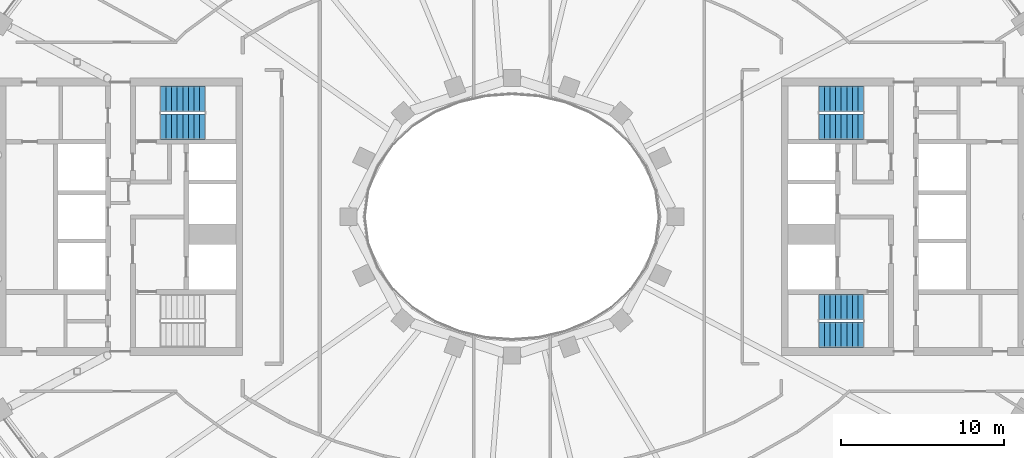
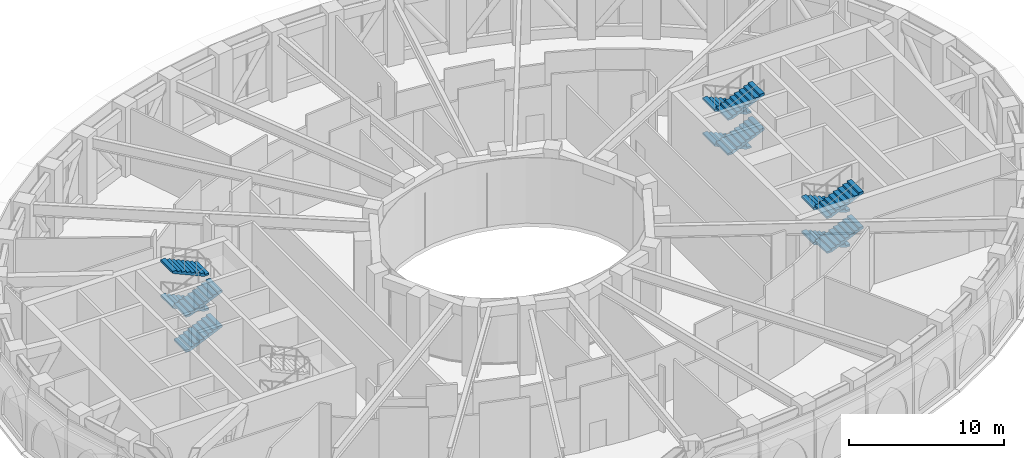
# One storey, part 10 of 25: 12 stair flights, 3 elements without a shape of their own.
"""IFC4 building model written with IfcOpenShell, lengths in metres."""

import ifcopenshell
import ifcopenshell.guid

model = None  # the IFC model being written
_history = None  # IfcOwnerHistory: only IFC2X3 demands one
_inside = {}  # id of a spatial element -> (the spatial element, [elements in it])
_under = {}  # id of a project, library or spatial element -> (it, [spatial elements below it])
_declared = {}  # id of a project -> (the project, [libraries it declares])
_typed = {}  # id of a type object -> (the type object, [elements of that type])
_made_of = {}  # id of a material, layer set ... -> (it, [elements and type objects made of it])


def new_model(schema):
    """Start an empty IFC model of exactly this schema.

    Asked for "IFC4X3", IfcOpenShell would pick the latest addendum, in which some entities
    have other attributes; the version numbers below select the first issue.
    IFC2X3 requires an IfcOwnerHistory on every rooted entity: one is made here for all.
    """
    global model, _history
    if schema == "IFC4X3":
        model = ifcopenshell.file(schema_version=(4, 3, 0, 0))
    else:
        model = ifcopenshell.file(schema=schema)
    _inside.clear()
    _under.clear()
    _declared.clear()
    _typed.clear()
    _made_of.clear()
    _history = None
    if model.schema == "IFC2X3":
        org = make("IfcOrganization", Name="unknown")
        user = make(
            "IfcPersonAndOrganization",
            ThePerson=make("IfcPerson", FamilyName="unknown"),
            TheOrganization=org,
        )
        app = make(
            "IfcApplication",
            ApplicationDeveloper=org,
            Version="unknown",
            ApplicationFullName="unknown",
            ApplicationIdentifier="unknown",
        )
        _history = make(
            "IfcOwnerHistory",
            OwningUser=user,
            OwningApplication=app,
            ChangeAction="ADDED",
            CreationDate=0,
        )
    return model


def make(cls, **values):
    """One entity of the class cls with the attributes given. An attribute that is None is left unset."""
    return model.create_entity(
        cls, **{name: value for name, value in values.items() if value is not None}
    )


def rooted(cls, **values):
    """An entity with a GlobalId (a new one), such as an element, a storey or a relation."""
    return make(cls, GlobalId=ifcopenshell.guid.new(), OwnerHistory=_history, **values)


def si_unit(unit_type, name, prefix=None):
    """IfcSIUnit, for example si_unit("LENGTHUNIT", "METRE", prefix="MILLI")."""
    return make("IfcSIUnit", UnitType=unit_type, Prefix=prefix, Name=name)


def assignment(units):
    """IfcUnitAssignment: the units of a project."""
    return None if units is None else make("IfcUnitAssignment", Units=units)


def point(xyz):
    """IfcCartesianPoint."""
    return None if xyz is None else make("IfcCartesianPoint", Coordinates=xyz)


def direction(xyz):
    """IfcDirection."""
    return None if xyz is None else make("IfcDirection", DirectionRatios=xyz)


def frame(location, z_axis=None, x_axis=None):
    """IfcAxis2Placement3D, a coordinate frame: its origin and axes. An axis left out is left unset."""
    return make(
        "IfcAxis2Placement3D",
        Location=point(location),
        Axis=direction(z_axis),
        RefDirection=direction(x_axis),
    )


def origin():
    """The frame at (0, 0, 0) with its axes left unset."""
    return frame((0.0, 0.0, 0.0))


def place(relative_to, where):
    """IfcLocalPlacement: puts the frame where relative to a parent placement (None: the world)."""
    return make(
        "IfcLocalPlacement", PlacementRelTo=relative_to, RelativePlacement=where
    )


def context(
    kind, dimensions, precision=None, world=None, true_north=None, identifier=None
):
    """IfcGeometricRepresentationContext, for example the 3D "Model" context."""
    return make(
        "IfcGeometricRepresentationContext",
        ContextIdentifier=identifier,
        ContextType=kind,
        CoordinateSpaceDimension=dimensions,
        Precision=precision,
        WorldCoordinateSystem=world,
        TrueNorth=true_north,
    )


def subcontext(parent, identifier, kind, view, scale=None):
    """IfcGeometricRepresentationSubContext, for example "Body" below "Model"."""
    return make(
        "IfcGeometricRepresentationSubContext",
        ContextIdentifier=identifier,
        ContextType=kind,
        ParentContext=parent,
        TargetScale=scale,
        TargetView=view,
    )


def project(units=None, contexts=None):
    """IfcProject with its units and contexts."""
    return rooted(
        "IfcProject",
        Name="project",
        RepresentationContexts=contexts,
        UnitsInContext=assignment(units),
    )


def spatial(cls, under=None, at=None, **own):
    """A site, building, storey or space (cls), placed at a placement, below another one or the project."""
    s = rooted(cls, ObjectPlacement=at, **own)
    if under is not None:
        _under.setdefault(under.id(), (under, []))[1].append(s)
    return s


def polyline(points):
    """IfcPolyline through the points."""
    return make("IfcPolyline", Points=[point(p) for p in points])


def outline(outer, holes=None, kind="AREA"):
    """IfcArbitraryClosedProfileDef: a profile drawn as a closed curve; with holes, ...WithVoids."""
    if holes is None:
        return make("IfcArbitraryClosedProfileDef", ProfileType=kind, OuterCurve=outer)
    return make(
        "IfcArbitraryProfileDefWithVoids",
        ProfileType=kind,
        OuterCurve=outer,
        InnerCurves=holes,
    )


def extrude(swept, where, along, depth):
    """IfcExtrudedAreaSolid: the profile swept, set in the frame where, extruded along a direction by depth."""
    return make(
        "IfcExtrudedAreaSolid",
        SweptArea=swept,
        Position=where,
        ExtrudedDirection=direction(along),
        Depth=depth,
    )


def shape(context_of_items, identifier, shape_type, items):
    """IfcShapeRepresentation: the items that make up one representation, for example the "Body"."""
    return make(
        "IfcShapeRepresentation",
        ContextOfItems=context_of_items,
        RepresentationIdentifier=identifier,
        RepresentationType=shape_type,
        Items=items,
    )


def material(Name=None, Category=None):
    """IfcMaterial."""
    return make("IfcMaterial", Name=Name, Category=Category)


def made_of(thing, what):
    """Note that an element or type object is made of a material, layer set ...; save() writes the relation."""
    if what is not None:
        _made_of.setdefault(what.id(), (what, []))[1].append(thing)
    return thing


def type_object(cls, material=None, **own):
    """A type object (cls), such as IfcWallType, which elements share."""
    return made_of(rooted(cls, **own), material)


def element(
    cls,
    number,
    at=None,
    inside=None,
    cuts=None,
    type_object=None,
    material=None,
    context=None,
    identifier="Body",
    shape_type=None,
    held_by="IfcProductDefinitionShape",
    body=None,
    shapes=None,
    **own,
):
    """One element of the class cls, such as IfcWall. Its Tag is "e" and its number.

    at: its placement. inside: the storey or other place that contains it. cuts: it is an
    opening in that element (IfcRelVoidsElement). A single representation is given by context,
    identifier, shape_type and body (its items); several are given by shapes. held_by: the class
    of the entity that holds the representations. save() writes the other relations.
    """
    e = rooted(cls, Tag="e%d" % number, ObjectPlacement=at, **own)
    if body is not None:
        shapes = [shape(context, identifier, shape_type, body)]
    if shapes is not None:
        e.Representation = make(held_by, Representations=shapes)
    if inside is not None:
        _inside.setdefault(inside.id(), (inside, []))[1].append(e)
    if cuts is not None:
        rooted(
            "IfcRelVoidsElement", RelatingBuildingElement=cuts, RelatedOpeningElement=e
        )
    if type_object is not None:
        _typed.setdefault(type_object.id(), (type_object, []))[1].append(e)
    return made_of(e, material)


def aggregate(whole, parts):
    """IfcRelAggregates: a whole, such as a stair, and the parts it consists of."""
    return rooted("IfcRelAggregates", RelatingObject=whole, RelatedObjects=parts)


def save(model, path):
    """Write the relations noted so far, then the file.

    IfcRelAggregates (storeys below a building ...), IfcRelContainedInSpatialStructure (elements
    in a storey), IfcRelDefinesByType, IfcRelAssociatesMaterial and IfcRelDeclares: one each for
    every whole, place, type object, material and project.
    """
    for whole, parts in _under.values():
        aggregate(whole, parts)
    for where, things in _inside.values():
        rooted(
            "IfcRelContainedInSpatialStructure",
            RelatedElements=things,
            RelatingStructure=where,
        )
    for kind, things in _typed.values():
        rooted("IfcRelDefinesByType", RelatedObjects=things, RelatingType=kind)
    for what, things in _made_of.values():
        rooted("IfcRelAssociatesMaterial", RelatedObjects=things, RelatingMaterial=what)
    for by, libraries in _declared.values():
        rooted("IfcRelDeclares", RelatingContext=by, RelatedDefinitions=libraries)
    model.write(path)


model = new_model("IFC4")

# Units and contexts
model_context = context("Model", 3, precision=1e-05, world=origin(), true_north=direction((0.0, 1.0)))
body_context = subcontext(model_context, "Body", "Model", "MODEL_VIEW")
ifc_project = project(units=[si_unit("LENGTHUNIT", "METRE"), si_unit("AREAUNIT", "SQUARE_METRE"), si_unit("VOLUMEUNIT", "CUBIC_METRE"), si_unit("PLANEANGLEUNIT", "RADIAN"), si_unit("MASSUNIT", "GRAM", prefix="KILO")], contexts=[model_context])

# Site, building, storey
site_placement = place(None, origin())
site = spatial("IfcSite", under=ifc_project, at=site_placement, CompositionType="ELEMENT")
building_placement = place(site_placement, origin())
building = spatial("IfcBuilding", under=site, at=building_placement, Name="Noorbagh Ring Tower", CompositionType="ELEMENT")
storey_placement = place(building_placement, frame((0.0, 0.0, 198.0)))
storey = spatial("IfcBuildingStorey", under=building, at=storey_placement, Name="L46", CompositionType="ELEMENT", Elevation=198.0)

# Stair, stair flights
ifc_material_1 = material(Name="Concrete C40/50", Category="concrete")
stair_type = type_object("IfcStairType", Name="CORE-STAIR", PredefinedType="HALF_TURN_STAIR", material=ifc_material_1)
stair_1_placement = place(storey_placement, origin())
stair_1 = element("IfcStair", 1, at=stair_1_placement, inside=storey, type_object=stair_type, Name="L46 Exit stair ST1", PredefinedType="HALF_TURN_STAIR")
ifc_material_2 = material(Name="Concrete C40/50", Category="concrete")
stair_flight_type = type_object("IfcStairFlightType", Name="CORE-STAIR-FLIGHT", PredefinedType="STRAIGHT", material=ifc_material_2)
stair_flight_1_placement = place(storey_placement, frame((-21.530029296875, 5.52490234375, 0.0), z_axis=(0.0, 0.0, 1.0), x_axis=(1.0, 0.0, 0.0)))
stair_flight_1 = element("IfcStairFlight", 2, at=stair_flight_1_placement, type_object=stair_flight_type, Name="ST1 flight 1", NumberOfRisers=9, NumberOfTreads=8, PredefinedType="STRAIGHT", RiserHeight=0.152777778, TreadLength=0.34, context=body_context, shape_type="SweptSolid", body=[
    extrude(outline(polyline([(0.0, 0.0), (0.0, 0.15283203125), (0.340087890625, 0.15283203125), (0.340087890625, 0.3056640625), (0.679931640625, 0.3056640625), (0.679931640625, 0.458251953125), (1.02001953125, 0.458251953125), (1.02001953125, 0.611083984375), (1.360107421875, 0.611083984375), (1.360107421875, 0.763916015625), (1.699951171875, 0.763916015625), (1.699951171875, 0.916748046875), (2.0400390625, 0.916748046875), (2.0400390625, 1.0693359375), (2.3798828125, 1.0693359375), (2.3798828125, 1.22216796875), (2.719970703125, 1.22216796875), (2.719970703125, 1.375), (2.719970703125, 1.057861328125), (0.36572265625, 0.0), (0.0, 0.0)])), frame((0.0, 0.77490234375, 0.0), z_axis=(0.0, -1.0, 0.0), x_axis=(1.0, 0.0, 0.0)), (0.0, 0.0, 1.0), 1.550048828125),
])
stair_flight_2_placement = place(storey_placement, frame((-18.81005859375, 7.22509765625, 1.375), z_axis=(0.0, 0.0, 1.0), x_axis=(-1.0, 0.0, 0.0)))
stair_flight_2 = element("IfcStairFlight", 3, at=stair_flight_2_placement, type_object=stair_flight_type, Name="ST1 flight 2", NumberOfRisers=9, NumberOfTreads=8, PredefinedType="STRAIGHT", RiserHeight=0.152777778, TreadLength=0.34, context=body_context, shape_type="SweptSolid", body=[
    extrude(outline(polyline([(0.0, 0.0), (0.0, 0.15283203125), (0.340087890625, 0.15283203125), (0.340087890625, 0.3056640625), (0.679931640625, 0.3056640625), (0.679931640625, 0.458251953125), (1.02001953125, 0.458251953125), (1.02001953125, 0.611083984375), (1.360107421875, 0.611083984375), (1.360107421875, 0.763916015625), (1.699951171875, 0.763916015625), (1.699951171875, 0.916748046875), (2.0400390625, 0.916748046875), (2.0400390625, 1.0693359375), (2.3798828125, 1.0693359375), (2.3798828125, 1.22216796875), (2.719970703125, 1.22216796875), (2.719970703125, 1.375), (2.719970703125, 1.057861328125), (0.36572265625, 0.0), (0.0, 0.0)])), frame((0.0, 0.77490234375, 0.0), z_axis=(0.0, -1.0, 0.0), x_axis=(1.0, 0.0, 0.0)), (0.0, 0.0, 1.0), 1.550048828125),
])
stair_flight_3_placement = place(storey_placement, frame((-21.530029296875, 5.52490234375, 2.75), z_axis=(0.0, 0.0, 1.0), x_axis=(1.0, 0.0, 0.0)))
stair_flight_3 = element("IfcStairFlight", 4, at=stair_flight_3_placement, type_object=stair_flight_type, Name="ST1 flight 3", NumberOfRisers=9, NumberOfTreads=8, PredefinedType="STRAIGHT", RiserHeight=0.152777778, TreadLength=0.34, context=body_context, shape_type="SweptSolid", body=[
    extrude(outline(polyline([(0.0, 0.0), (0.0, 0.15283203125), (0.340087890625, 0.15283203125), (0.340087890625, 0.3056640625), (0.679931640625, 0.3056640625), (0.679931640625, 0.458251953125), (1.02001953125, 0.458251953125), (1.02001953125, 0.611083984375), (1.360107421875, 0.611083984375), (1.360107421875, 0.763916015625), (1.699951171875, 0.763916015625), (1.699951171875, 0.916748046875), (2.0400390625, 0.916748046875), (2.0400390625, 1.0693359375), (2.3798828125, 1.0693359375), (2.3798828125, 1.22216796875), (2.719970703125, 1.22216796875), (2.719970703125, 1.375), (2.719970703125, 1.057861328125), (0.36572265625, 0.0), (0.0, 0.0)])), frame((0.0, 0.77490234375, 0.0), z_axis=(0.0, -1.0, 0.0), x_axis=(1.0, 0.0, 0.0)), (0.0, 0.0, 1.0), 1.550048828125),
])
stair_flight_4_placement = place(storey_placement, frame((-18.81005859375, 7.22509765625, 4.125), z_axis=(0.0, 0.0, 1.0), x_axis=(-1.0, 0.0, 0.0)))
stair_flight_4 = element("IfcStairFlight", 5, at=stair_flight_4_placement, type_object=stair_flight_type, Name="ST1 flight 4", NumberOfRisers=9, NumberOfTreads=8, PredefinedType="STRAIGHT", RiserHeight=0.152777778, TreadLength=0.34, context=body_context, shape_type="SweptSolid", body=[
    extrude(outline(polyline([(0.0, 0.0), (0.0, 0.15283203125), (0.340087890625, 0.15283203125), (0.340087890625, 0.3056640625), (0.679931640625, 0.3056640625), (0.679931640625, 0.458251953125), (1.02001953125, 0.458251953125), (1.02001953125, 0.611083984375), (1.360107421875, 0.611083984375), (1.360107421875, 0.763916015625), (1.699951171875, 0.763916015625), (1.699951171875, 0.916748046875), (2.0400390625, 0.916748046875), (2.0400390625, 1.0693359375), (2.3798828125, 1.0693359375), (2.3798828125, 1.22216796875), (2.719970703125, 1.22216796875), (2.719970703125, 1.375), (2.719970703125, 1.057861328125), (0.36572265625, 0.0), (0.0, 0.0)])), frame((0.0, 0.77490234375, 0.0), z_axis=(0.0, -1.0, 0.0), x_axis=(1.0, 0.0, 0.0)), (0.0, 0.0, 1.0), 1.550048828125),
])
aggregate(stair_1, [stair_flight_1, stair_flight_2, stair_flight_3, stair_flight_4])

stair_2_placement = place(storey_placement, origin())
stair_2 = element("IfcStair", 6, at=stair_2_placement, inside=storey, type_object=stair_type, Name="L46 Exit stair ST3", PredefinedType="HALF_TURN_STAIR")
stair_flight_5_placement = place(storey_placement, frame((21.530029296875, 7.22509765625, 0.0), z_axis=(0.0, 0.0, 1.0), x_axis=(-1.0, 0.0, 0.0)))
stair_flight_5 = element("IfcStairFlight", 7, at=stair_flight_5_placement, type_object=stair_flight_type, Name="ST3 flight 1", NumberOfRisers=9, NumberOfTreads=8, PredefinedType="STRAIGHT", RiserHeight=0.152777778, TreadLength=0.34, context=body_context, shape_type="SweptSolid", body=[
    extrude(outline(polyline([(0.0, 0.0), (0.0, 0.15283203125), (0.340087890625, 0.15283203125), (0.340087890625, 0.3056640625), (0.679931640625, 0.3056640625), (0.679931640625, 0.458251953125), (1.02001953125, 0.458251953125), (1.02001953125, 0.611083984375), (1.360107421875, 0.611083984375), (1.360107421875, 0.763916015625), (1.699951171875, 0.763916015625), (1.699951171875, 0.916748046875), (2.0400390625, 0.916748046875), (2.0400390625, 1.0693359375), (2.3798828125, 1.0693359375), (2.3798828125, 1.22216796875), (2.719970703125, 1.22216796875), (2.719970703125, 1.375), (2.719970703125, 1.057861328125), (0.36572265625, 0.0), (0.0, 0.0)])), frame((0.0, 0.77490234375, 0.0), z_axis=(0.0, -1.0, 0.0), x_axis=(1.0, 0.0, 0.0)), (0.0, 0.0, 1.0), 1.550048828125),
])
stair_flight_6_placement = place(storey_placement, frame((18.81005859375, 5.52490234375, 1.375), z_axis=(0.0, 0.0, 1.0), x_axis=(1.0, 0.0, 0.0)))
stair_flight_6 = element("IfcStairFlight", 8, at=stair_flight_6_placement, type_object=stair_flight_type, Name="ST3 flight 2", NumberOfRisers=9, NumberOfTreads=8, PredefinedType="STRAIGHT", RiserHeight=0.152777778, TreadLength=0.34, context=body_context, shape_type="SweptSolid", body=[
    extrude(outline(polyline([(0.0, 0.0), (0.0, 0.15283203125), (0.340087890625, 0.15283203125), (0.340087890625, 0.3056640625), (0.679931640625, 0.3056640625), (0.679931640625, 0.458251953125), (1.02001953125, 0.458251953125), (1.02001953125, 0.611083984375), (1.360107421875, 0.611083984375), (1.360107421875, 0.763916015625), (1.699951171875, 0.763916015625), (1.699951171875, 0.916748046875), (2.0400390625, 0.916748046875), (2.0400390625, 1.0693359375), (2.3798828125, 1.0693359375), (2.3798828125, 1.22216796875), (2.719970703125, 1.22216796875), (2.719970703125, 1.375), (2.719970703125, 1.057861328125), (0.36572265625, 0.0), (0.0, 0.0)])), frame((0.0, 0.77490234375, 0.0), z_axis=(0.0, -1.0, 0.0), x_axis=(1.0, 0.0, 0.0)), (0.0, 0.0, 1.0), 1.550048828125),
])
stair_flight_7_placement = place(storey_placement, frame((21.530029296875, 7.22509765625, 2.75), z_axis=(0.0, 0.0, 1.0), x_axis=(-1.0, 0.0, 0.0)))
stair_flight_7 = element("IfcStairFlight", 9, at=stair_flight_7_placement, type_object=stair_flight_type, Name="ST3 flight 3", NumberOfRisers=9, NumberOfTreads=8, PredefinedType="STRAIGHT", RiserHeight=0.152777778, TreadLength=0.34, context=body_context, shape_type="SweptSolid", body=[
    extrude(outline(polyline([(0.0, 0.0), (0.0, 0.15283203125), (0.340087890625, 0.15283203125), (0.340087890625, 0.3056640625), (0.679931640625, 0.3056640625), (0.679931640625, 0.458251953125), (1.02001953125, 0.458251953125), (1.02001953125, 0.611083984375), (1.360107421875, 0.611083984375), (1.360107421875, 0.763916015625), (1.699951171875, 0.763916015625), (1.699951171875, 0.916748046875), (2.0400390625, 0.916748046875), (2.0400390625, 1.0693359375), (2.3798828125, 1.0693359375), (2.3798828125, 1.22216796875), (2.719970703125, 1.22216796875), (2.719970703125, 1.375), (2.719970703125, 1.057861328125), (0.36572265625, 0.0), (0.0, 0.0)])), frame((0.0, 0.77490234375, 0.0), z_axis=(0.0, -1.0, 0.0), x_axis=(1.0, 0.0, 0.0)), (0.0, 0.0, 1.0), 1.550048828125),
])
stair_flight_8_placement = place(storey_placement, frame((18.81005859375, 5.52490234375, 4.125), z_axis=(0.0, 0.0, 1.0), x_axis=(1.0, 0.0, 0.0)))
stair_flight_8 = element("IfcStairFlight", 10, at=stair_flight_8_placement, type_object=stair_flight_type, Name="ST3 flight 4", NumberOfRisers=9, NumberOfTreads=8, PredefinedType="STRAIGHT", RiserHeight=0.152777778, TreadLength=0.34, context=body_context, shape_type="SweptSolid", body=[
    extrude(outline(polyline([(0.0, 0.0), (0.0, 0.15283203125), (0.340087890625, 0.15283203125), (0.340087890625, 0.3056640625), (0.679931640625, 0.3056640625), (0.679931640625, 0.458251953125), (1.02001953125, 0.458251953125), (1.02001953125, 0.611083984375), (1.360107421875, 0.611083984375), (1.360107421875, 0.763916015625), (1.699951171875, 0.763916015625), (1.699951171875, 0.916748046875), (2.0400390625, 0.916748046875), (2.0400390625, 1.0693359375), (2.3798828125, 1.0693359375), (2.3798828125, 1.22216796875), (2.719970703125, 1.22216796875), (2.719970703125, 1.375), (2.719970703125, 1.057861328125), (0.36572265625, 0.0), (0.0, 0.0)])), frame((0.0, 0.77490234375, 0.0), z_axis=(0.0, -1.0, 0.0), x_axis=(1.0, 0.0, 0.0)), (0.0, 0.0, 1.0), 1.550048828125),
])
aggregate(stair_2, [stair_flight_5, stair_flight_6, stair_flight_7, stair_flight_8])

stair_3_placement = place(storey_placement, origin())
stair_3 = element("IfcStair", 11, at=stair_3_placement, inside=storey, type_object=stair_type, Name="L46 Exit stair ST4", PredefinedType="HALF_TURN_STAIR")
stair_flight_9_placement = place(storey_placement, frame((21.530029296875, -5.52490234375, 0.0), z_axis=(0.0, 0.0, 1.0), x_axis=(-1.0, 0.0, 0.0)))
stair_flight_9 = element("IfcStairFlight", 12, at=stair_flight_9_placement, type_object=stair_flight_type, Name="ST4 flight 1", NumberOfRisers=9, NumberOfTreads=8, PredefinedType="STRAIGHT", RiserHeight=0.152777778, TreadLength=0.34, context=body_context, shape_type="SweptSolid", body=[
    extrude(outline(polyline([(0.0, 0.0), (0.0, 0.15283203125), (0.340087890625, 0.15283203125), (0.340087890625, 0.3056640625), (0.679931640625, 0.3056640625), (0.679931640625, 0.458251953125), (1.02001953125, 0.458251953125), (1.02001953125, 0.611083984375), (1.360107421875, 0.611083984375), (1.360107421875, 0.763916015625), (1.699951171875, 0.763916015625), (1.699951171875, 0.916748046875), (2.0400390625, 0.916748046875), (2.0400390625, 1.0693359375), (2.3798828125, 1.0693359375), (2.3798828125, 1.22216796875), (2.719970703125, 1.22216796875), (2.719970703125, 1.375), (2.719970703125, 1.057861328125), (0.36572265625, 0.0), (0.0, 0.0)])), frame((0.0, 0.77490234375, 0.0), z_axis=(0.0, -1.0, 0.0), x_axis=(1.0, 0.0, 0.0)), (0.0, 0.0, 1.0), 1.550048828125),
])
stair_flight_10_placement = place(storey_placement, frame((18.81005859375, -7.22509765625, 1.375), z_axis=(0.0, 0.0, 1.0), x_axis=(1.0, 0.0, 0.0)))
stair_flight_10 = element("IfcStairFlight", 13, at=stair_flight_10_placement, type_object=stair_flight_type, Name="ST4 flight 2", NumberOfRisers=9, NumberOfTreads=8, PredefinedType="STRAIGHT", RiserHeight=0.152777778, TreadLength=0.34, context=body_context, shape_type="SweptSolid", body=[
    extrude(outline(polyline([(0.0, 0.0), (0.0, 0.15283203125), (0.340087890625, 0.15283203125), (0.340087890625, 0.3056640625), (0.679931640625, 0.3056640625), (0.679931640625, 0.458251953125), (1.02001953125, 0.458251953125), (1.02001953125, 0.611083984375), (1.360107421875, 0.611083984375), (1.360107421875, 0.763916015625), (1.699951171875, 0.763916015625), (1.699951171875, 0.916748046875), (2.0400390625, 0.916748046875), (2.0400390625, 1.0693359375), (2.3798828125, 1.0693359375), (2.3798828125, 1.22216796875), (2.719970703125, 1.22216796875), (2.719970703125, 1.375), (2.719970703125, 1.057861328125), (0.36572265625, 0.0), (0.0, 0.0)])), frame((0.0, 0.77490234375, 0.0), z_axis=(0.0, -1.0, 0.0), x_axis=(1.0, 0.0, 0.0)), (0.0, 0.0, 1.0), 1.550048828125),
])
stair_flight_11_placement = place(storey_placement, frame((21.530029296875, -5.52490234375, 2.75), z_axis=(0.0, 0.0, 1.0), x_axis=(-1.0, 0.0, 0.0)))
stair_flight_11 = element("IfcStairFlight", 14, at=stair_flight_11_placement, type_object=stair_flight_type, Name="ST4 flight 3", NumberOfRisers=9, NumberOfTreads=8, PredefinedType="STRAIGHT", RiserHeight=0.152777778, TreadLength=0.34, context=body_context, shape_type="SweptSolid", body=[
    extrude(outline(polyline([(0.0, 0.0), (0.0, 0.15283203125), (0.340087890625, 0.15283203125), (0.340087890625, 0.3056640625), (0.679931640625, 0.3056640625), (0.679931640625, 0.458251953125), (1.02001953125, 0.458251953125), (1.02001953125, 0.611083984375), (1.360107421875, 0.611083984375), (1.360107421875, 0.763916015625), (1.699951171875, 0.763916015625), (1.699951171875, 0.916748046875), (2.0400390625, 0.916748046875), (2.0400390625, 1.0693359375), (2.3798828125, 1.0693359375), (2.3798828125, 1.22216796875), (2.719970703125, 1.22216796875), (2.719970703125, 1.375), (2.719970703125, 1.057861328125), (0.36572265625, 0.0), (0.0, 0.0)])), frame((0.0, 0.77490234375, 0.0), z_axis=(0.0, -1.0, 0.0), x_axis=(1.0, 0.0, 0.0)), (0.0, 0.0, 1.0), 1.550048828125),
])
stair_flight_12_placement = place(storey_placement, frame((18.81005859375, -7.22509765625, 4.125), z_axis=(0.0, 0.0, 1.0), x_axis=(1.0, 0.0, 0.0)))
stair_flight_12 = element("IfcStairFlight", 15, at=stair_flight_12_placement, type_object=stair_flight_type, Name="ST4 flight 4", NumberOfRisers=9, NumberOfTreads=8, PredefinedType="STRAIGHT", RiserHeight=0.152777778, TreadLength=0.34, context=body_context, shape_type="SweptSolid", body=[
    extrude(outline(polyline([(0.0, 0.0), (0.0, 0.15283203125), (0.340087890625, 0.15283203125), (0.340087890625, 0.3056640625), (0.679931640625, 0.3056640625), (0.679931640625, 0.458251953125), (1.02001953125, 0.458251953125), (1.02001953125, 0.611083984375), (1.360107421875, 0.611083984375), (1.360107421875, 0.763916015625), (1.699951171875, 0.763916015625), (1.699951171875, 0.916748046875), (2.0400390625, 0.916748046875), (2.0400390625, 1.0693359375), (2.3798828125, 1.0693359375), (2.3798828125, 1.22216796875), (2.719970703125, 1.22216796875), (2.719970703125, 1.375), (2.719970703125, 1.057861328125), (0.36572265625, 0.0), (0.0, 0.0)])), frame((0.0, 0.77490234375, 0.0), z_axis=(0.0, -1.0, 0.0), x_axis=(1.0, 0.0, 0.0)), (0.0, 0.0, 1.0), 1.550048828125),
])
aggregate(stair_3, [stair_flight_9, stair_flight_10, stair_flight_11, stair_flight_12])

save(model, "model.ifc")
